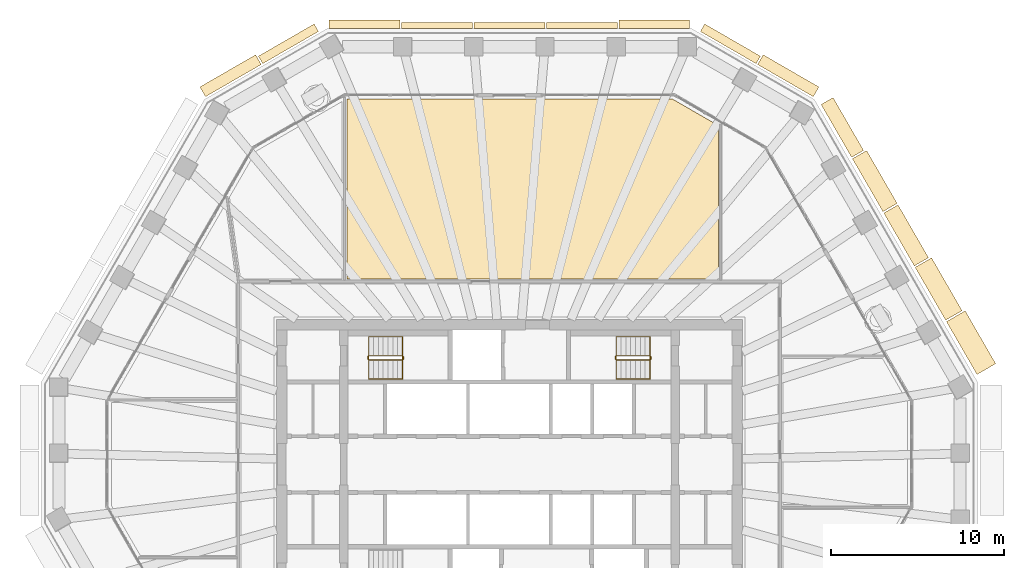
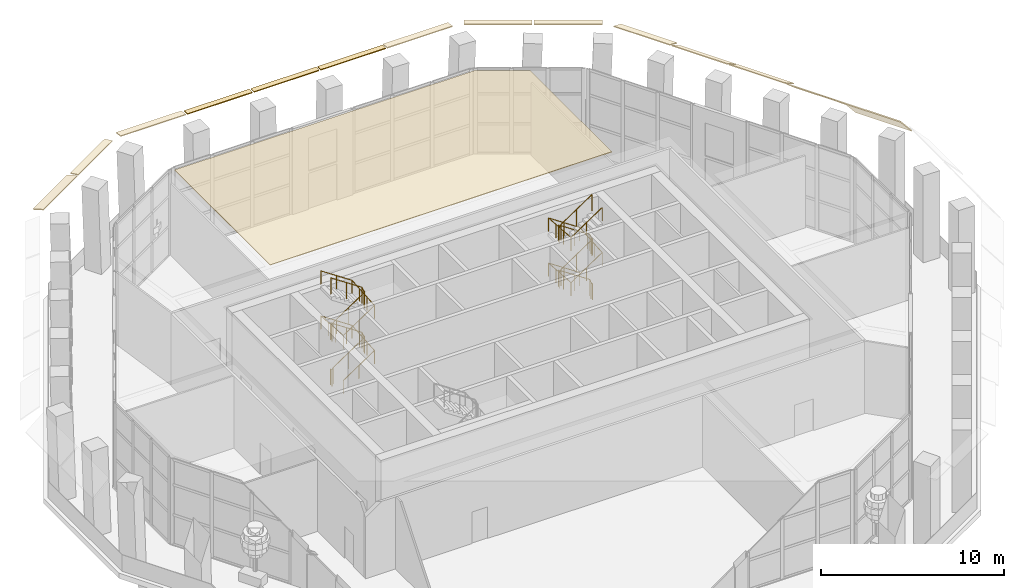
# One storey, part 17 of 19: 15 coverings, 4 railings.
"""IFC4 building model written with IfcOpenShell, lengths in metres."""

from ifc_helpers import new_model, si_unit, direction, frame, origin, origin_2d, place, context, subcontext, project, spatial, polyline, circle, outline, extrude, material, layer, layer_set, type_object, element, save


model = new_model("IFC4")

# Units and contexts
model_context = context("Model", 3, precision=1e-05, world=origin(), true_north=direction((0.0, 1.0)))
body_context = subcontext(model_context, "Body", "Model", "MODEL_VIEW")
ifc_project = project(units=[si_unit("LENGTHUNIT", "METRE"), si_unit("AREAUNIT", "SQUARE_METRE"), si_unit("VOLUMEUNIT", "CUBIC_METRE"), si_unit("PLANEANGLEUNIT", "RADIAN"), si_unit("MASSUNIT", "GRAM", prefix="KILO")], contexts=[model_context])

# Site, building, storey
site_placement = place(None, origin())
site = spatial("IfcSite", under=ifc_project, at=site_placement, CompositionType="ELEMENT")
building_placement = place(site_placement, origin())
building = spatial("IfcBuilding", under=site, at=building_placement, Name="Frailejon Research Tower", CompositionType="ELEMENT")
storey_placement = place(building_placement, frame((0.0, 0.0, 231.39990234375)))
storey = spatial("IfcBuildingStorey", under=building, at=storey_placement, Name="L50", CompositionType="ELEMENT", Elevation=231.39990234375)

# Coverings
ifc_material_1 = material(Name="Precast concrete C50/60", Category="concrete")
ifc_layer_1 = layer(ifc_material_1, 0.06005859375)
ifc_layer_set_1 = layer_set([ifc_layer_1], Name="Brim blade depth 1100")
covering_type_1 = type_object("IfcCoveringType", Name="Brim blade depth 1100", PredefinedType="CLADDING", material=ifc_layer_set_1)
covering_1_placement = place(storey_placement, frame((23.5078125, 11.417236328125, 5.85009765625), z_axis=(0.500002847027, -0.866023760046, 0.0), x_axis=(0.866023760046, 0.500002847027, 0.0)))
element("IfcCovering", 1, at=covering_1_placement, inside=storey, type_object=covering_type_1, Name="Brim blade L50", PredefinedType="CLADDING", context=body_context, shape_type="SweptSolid", body=[
    extrude(outline(polyline([(0.0, -0.078369140625), (1.10009765625, -1.001220703125), (1.10009765625, -0.923095703125), (0.0, 0.0), (0.0, -0.078369140625)])), origin(), (0.0, 0.0, 1.0), 3.53271484375),
])
ifc_material_2 = material(Name="Precast concrete C50/60", Category="concrete")
ifc_layer_2 = layer(ifc_material_2, 0.06005859375)
ifc_layer_set_2 = layer_set([ifc_layer_2], Name="Brim blade depth 1250")
covering_type_2 = type_object("IfcCoveringType", Name="Brim blade depth 1250", PredefinedType="CLADDING", material=ifc_layer_set_2)
covering_2_placement = place(storey_placement, frame((25.32421875, 8.271484375, 5.85009765625), z_axis=(0.499982200163, -0.866035680282, 0.0), x_axis=(0.866035680282, 0.499982200163, 0.0)))
element("IfcCovering", 2, at=covering_2_placement, inside=storey, type_object=covering_type_2, Name="Brim blade L50", PredefinedType="CLADDING", context=body_context, shape_type="SweptSolid", body=[
    extrude(outline(polyline([(0.0, -0.0888671875), (1.25, -1.452880859375), (1.25, -1.364013671875), (0.0, 0.0), (0.0, -0.0888671875)])), origin(), (0.0, 0.0, 1.0), 3.532470703125),
])
ifc_material_3 = material(Name="Precast concrete C50/60", Category="concrete")
ifc_layer_3 = layer(ifc_material_3, 0.06005859375)
ifc_layer_set_3 = layer_set([ifc_layer_3], Name="Brim blade depth 350")
covering_type_3 = type_object("IfcCoveringType", Name="Brim blade depth 350", PredefinedType="CLADDING", material=ifc_layer_set_3)
for number, where, z_axis, x_axis, name in (
    (3, (2.1494140625, 25.25, 5.85009765625), (1.0, 0.0, 0.0), (0.0, 1.0, 0.0), "Brim blade L50"),
    (4, (-2.04931640625, 25.25, 5.85009765625), (1.0, 0.0, 0.0), (0.0, 1.0, 0.0), "Brim blade L50"),
    (5, (-6.248046875, 25.25, 5.85009765625), (1.0, 0.0, 0.0), (0.0, 1.0, 0.0), "Brim blade L50"),
):
    element("IfcCovering", number, at=place(storey_placement, frame(where, z_axis=z_axis, x_axis=x_axis)), inside=storey, type_object=covering_type_3, Name=name, PredefinedType="CLADDING", context=body_context, shape_type="SweptSolid", body=[
        extrude(outline(polyline([(0.0, -0.06005859375), (0.35009765625, -0.06005859375), (0.35009765625, 0.0), (0.0, 0.0), (0.0, -0.06005859375)])), origin(), (0.0, 0.0, 1.0), 4.0986328125),
    ])
ifc_material_4 = material(Name="Precast concrete C50/60", Category="concrete")
ifc_layer_4 = layer(ifc_material_4, 0.06005859375)
ifc_layer_set_4 = layer_set([ifc_layer_4], Name="Brim blade depth 500")
covering_type_4 = type_object("IfcCoveringType", Name="Brim blade depth 500", PredefinedType="CLADDING", material=ifc_layer_set_4)
covering_3_placement = place(storey_placement, frame((11.06494140625, 25.084228515625, 5.85009765625), z_axis=(0.866025010706, -0.50000068083, 0.0), x_axis=(0.50000068083, 0.866025010706, 0.0)))
element("IfcCovering", 6, at=covering_3_placement, inside=storey, type_object=covering_type_4, Name="Brim blade L50", PredefinedType="CLADDING", context=body_context, shape_type="SweptSolid", body=[
    extrude(outline(polyline([(0.0, -0.060546875), (0.5, -0.130859375), (0.5, -0.0703125), (0.0, 0.0), (0.0, -0.060546875)])), origin(), (0.0, 0.0, 1.0), 3.726806640625),
])
for number, where, z_axis, x_axis, name in (
    (7, (6.347900390625, 25.25, 5.85009765625), (1.0, 0.0, 0.0), (0.0, 1.0, 0.0), "Brim blade L50"),
    (8, (-10.446533203125, 25.25, 5.85009765625), (1.0, 0.0, 0.0), (0.0, 1.0, 0.0), "Brim blade L50"),
):
    element("IfcCovering", number, at=place(storey_placement, frame(where, z_axis=z_axis, x_axis=x_axis)), inside=storey, type_object=covering_type_4, Name=name, PredefinedType="CLADDING", context=body_context, shape_type="SweptSolid", body=[
        extrude(outline(polyline([(0.0, -0.060546875), (0.5, -0.130859375), (0.5, -0.0703125), (0.0, 0.0), (0.0, -0.060546875)])), origin(), (0.0, 0.0, 1.0), 4.0986328125),
    ])
covering_4_placement = place(storey_placement, frame((-14.29248046875, 23.220947265625, 5.85009765625), z_axis=(0.866025010706, 0.50000068083, 0.0), x_axis=(-0.50000068083, 0.866025010706, 0.0)))
element("IfcCovering", 9, at=covering_4_placement, inside=storey, type_object=covering_type_4, Name="Brim blade L50", PredefinedType="CLADDING", context=body_context, shape_type="SweptSolid", body=[
    extrude(outline(polyline([(0.0, -0.060546875), (0.5, -0.130859375), (0.5, -0.0703125), (0.0, 0.0), (0.0, -0.060546875)])), origin(), (0.0, 0.0, 1.0), 3.726806640625),
])
ifc_material_5 = material(Name="Precast concrete C50/60", Category="concrete")
ifc_layer_5 = layer(ifc_material_5, 0.06005859375)
ifc_layer_set_5 = layer_set([ifc_layer_5], Name="Brim blade depth 650")
covering_type_5 = type_object("IfcCoveringType", Name="Brim blade depth 650", PredefinedType="CLADDING", material=ifc_layer_set_5)
for number, where, z_axis, x_axis, name in (
    (10, (14.37890625, 23.1708984375, 5.85009765625), (0.866029793251, -0.499992397145, 0.0), (0.499992397145, 0.866029793251, 0.0), "Brim blade L50"),
    (11, (-17.6064453125, 21.3076171875, 5.85009765625), (0.866029793251, 0.499992397145, 0.0), (-0.499992397145, 0.866029793251, 0.0), "Brim blade L50"),
):
    element("IfcCovering", number, at=place(storey_placement, frame(where, z_axis=z_axis, x_axis=x_axis)), inside=storey, type_object=covering_type_5, Name=name, PredefinedType="CLADDING", context=body_context, shape_type="SweptSolid", body=[
        extrude(outline(polyline([(0.0, -0.0625), (0.64990234375, -0.248779296875), (0.64990234375, -0.186279296875), (0.0, 0.0), (0.0, -0.0625)])), origin(), (0.0, 0.0, 1.0), 3.726806640625),
    ])
ifc_material_6 = material(Name="Precast concrete C50/60", Category="concrete")
ifc_layer_6 = layer(ifc_material_6, 0.06005859375)
ifc_layer_set_6 = layer_set([ifc_layer_6], Name="Brim blade depth 800")
covering_type_6 = type_object("IfcCoveringType", Name="Brim blade depth 800", PredefinedType="CLADDING", material=ifc_layer_set_6)
covering_5_placement = place(storey_placement, frame((18.05908203125, 20.85498046875, 5.85009765625), z_axis=(0.500002847027, -0.866023760046, 0.0), x_axis=(0.866023760046, 0.500002847027, 0.0)))
element("IfcCovering", 12, at=covering_5_placement, inside=storey, type_object=covering_type_6, Name="Brim blade L50", PredefinedType="CLADDING", context=body_context, shape_type="SweptSolid", body=[
    extrude(outline(polyline([(0.0, -0.065673828125), (0.800048828125, -0.421875), (0.800048828125, -0.356201171875), (0.0, 0.0), (0.0, -0.065673828125)])), origin(), (0.0, 0.0, 1.0), 3.53271484375),
])
ifc_material_7 = material(Name="Precast concrete C50/60", Category="concrete")
ifc_layer_7 = layer(ifc_material_7, 0.06005859375)
ifc_layer_set_7 = layer_set([ifc_layer_7], Name="Brim blade depth 950")
covering_type_7 = type_object("IfcCoveringType", Name="Brim blade depth 950", PredefinedType="CLADDING", material=ifc_layer_set_7)
for number, where, z_axis, x_axis, name in (
    (13, (21.691650390625, 14.563232421875, 5.85009765625), (0.500002847027, -0.866023760046, 0.0), (0.866023760046, 0.500002847027, 0.0), "Brim blade L50"),
    (14, (19.875244140625, 17.708984375, 5.85009765625), (0.500002847027, -0.866023760046, 0.0), (0.866023760046, 0.500002847027, 0.0), "Brim blade L50"),
):
    element("IfcCovering", number, at=place(storey_placement, frame(where, z_axis=z_axis, x_axis=x_axis)), inside=storey, type_object=covering_type_7, Name=name, PredefinedType="CLADDING", context=body_context, shape_type="SweptSolid", body=[
        extrude(outline(polyline([(0.0, -0.07080078125), (0.949951171875, -0.664306640625), (0.949951171875, -0.593505859375), (0.0, 0.0), (0.0, -0.07080078125)])), origin(), (0.0, 0.0, 1.0), 3.53271484375),
    ])

# Railings
ifc_material_8 = material(Name="Stainless steel", Category="steel")
railing_type_1 = type_object("IfcRailingType", Name="Stair guard 1100", PredefinedType="GUARDRAIL", material=ifc_material_8)
railing_1_placement = place(storey_placement, frame((-8.199951171875, 6.25, 0.0)))
element("IfcRailing", 15, at=railing_1_placement, inside=storey, type_object=railing_type_1, Name="L50 ST1 stair guard 1", PredefinedType="GUARDRAIL", context=body_context, shape_type="SweptSolid", body=[
    extrude(circle(Radius=0.02392578125, at=origin_2d()), frame((0.0, 0.0, 1.076171875), z_axis=(0.0, -1.0, 0.0), x_axis=(1.0, 0.0, 0.0)), (0.0, 0.0, 1.0), 0.14990234375),
    extrude(circle(Radius=0.02392578125, at=origin_2d()), frame((0.0, -0.14990234375, 1.076171875), z_axis=(0.249726431254, -0.249726431254, 0.935560483917), x_axis=(0.707106781187, 0.707106781187, 0.0)), (0.0, 0.0, 1.0), 0.200439453125),
    extrude(circle(Radius=0.02392578125, at=origin_2d()), frame((0.050048828125, -0.199951171875, 1.263671875), z_axis=(0.830902050051, 0.0, 0.556418712142), x_axis=(0.0, 1.0, 0.0)), (0.0, 0.0, 1.0), 2.35888671875),
    extrude(circle(Radius=0.02392578125, at=origin_2d()), frame((2.010009765625, -0.199951171875, 2.576171875), z_axis=(0.707106781187, 0.707106781187, 0.0), x_axis=(-0.707106781187, 0.707106781187, 0.0)), (0.0, 0.0, 1.0), 0.07080078125),
    extrude(circle(Radius=0.02392578125, at=origin_2d()), frame((2.06005859375, -0.14990234375, 2.576171875), z_axis=(0.0, 1.0, 0.0), x_axis=(-1.0, 0.0, 0.0)), (0.0, 0.0, 1.0), 0.14990234375),
    extrude(circle(Radius=0.02392578125, at=origin_2d()), frame((2.06005859375, 0.0, 2.576171875), z_axis=(-0.249726431254, 0.249726431254, 0.935560483917), x_axis=(-0.707106781187, -0.707106781187, 0.0)), (0.0, 0.0, 1.0), 0.200439453125),
    extrude(circle(Radius=0.02392578125, at=origin_2d()), frame((2.010009765625, 0.050048828125, 2.763671875), z_axis=(-0.830902050051, 0.0, 0.556418712142), x_axis=(0.0, -1.0, 0.0)), (0.0, 0.0, 1.0), 2.35888671875),
    extrude(circle(Radius=0.02392578125, at=origin_2d()), frame((0.050048828125, 0.050048828125, 4.076171875), z_axis=(-0.707106781187, -0.707106781187, 0.0), x_axis=(0.707106781187, -0.707106781187, 0.0)), (0.0, 0.0, 1.0), 0.07080078125),
    extrude(circle(Radius=0.02392578125, at=origin_2d()), frame((0.0, 0.0, 4.076171875), z_axis=(0.0, -1.0, 0.0), x_axis=(1.0, 0.0, 0.0)), (0.0, 0.0, 1.0), 0.14990234375),
    extrude(circle(Radius=0.02392578125, at=origin_2d()), frame((0.0, -0.14990234375, 4.076171875), z_axis=(0.249726431254, -0.249726431254, 0.935560483917), x_axis=(0.707106781187, 0.707106781187, 0.0)), (0.0, 0.0, 1.0), 0.200439453125),
    extrude(circle(Radius=0.02392578125, at=origin_2d()), frame((0.050048828125, -0.199951171875, 4.263671875), z_axis=(0.830902050051, 0.0, 0.556418712142), x_axis=(0.0, 1.0, 0.0)), (0.0, 0.0, 1.0), 2.35888671875),
    extrude(circle(Radius=0.02392578125, at=origin_2d()), frame((2.010009765625, -0.199951171875, 5.576171875), z_axis=(0.707106781187, 0.707106781187, 0.0), x_axis=(-0.707106781187, 0.707106781187, 0.0)), (0.0, 0.0, 1.0), 0.07080078125),
    extrude(circle(Radius=0.02392578125, at=origin_2d()), frame((2.06005859375, -0.14990234375, 5.576171875), z_axis=(0.0, 1.0, 0.0), x_axis=(-1.0, 0.0, 0.0)), (0.0, 0.0, 1.0), 0.14990234375),
    extrude(circle(Radius=0.02392578125, at=origin_2d()), frame((2.06005859375, 0.0, 5.576171875), z_axis=(-0.249726431254, 0.249726431254, 0.935560483917), x_axis=(-0.707106781187, -0.707106781187, 0.0)), (0.0, 0.0, 1.0), 0.200439453125),
    extrude(circle(Radius=0.02392578125, at=origin_2d()), frame((2.010009765625, 0.050048828125, 5.763671875), z_axis=(-0.830902050051, 0.0, 0.556418712142), x_axis=(0.0, -1.0, 0.0)), (0.0, 0.0, 1.0), 2.35888671875),
    extrude(circle(Radius=0.02099609375, at=origin_2d()), origin(), (0.0, 0.0, 1.0), 1.052001953125),
    extrude(circle(Radius=0.02099609375, at=origin_2d()), frame((0.0, -0.14990234375, 0.0)), (0.0, 0.0, 1.0), 1.052001953125),
    extrude(circle(Radius=0.02099609375, at=origin_2d()), frame((0.050048828125, -0.199951171875, 0.1875)), (0.0, 0.0, 1.0), 1.052001953125),
    extrude(circle(Radius=0.02099609375, at=origin_2d()), frame((1.030029296875, -0.199951171875, 0.84375)), (0.0, 0.0, 1.0), 1.052001953125),
    extrude(circle(Radius=0.02099609375, at=origin_2d()), frame((2.010009765625, -0.199951171875, 1.5)), (0.0, 0.0, 1.0), 1.052001953125),
    extrude(circle(Radius=0.02099609375, at=origin_2d()), frame((2.06005859375, -0.14990234375, 1.5)), (0.0, 0.0, 1.0), 1.052001953125),
    extrude(circle(Radius=0.02099609375, at=origin_2d()), frame((2.06005859375, 0.0, 1.5)), (0.0, 0.0, 1.0), 1.052001953125),
    extrude(circle(Radius=0.02099609375, at=origin_2d()), frame((2.010009765625, 0.050048828125, 1.6875)), (0.0, 0.0, 1.0), 1.052001953125),
    extrude(circle(Radius=0.02099609375, at=origin_2d()), frame((1.030029296875, 0.050048828125, 2.34375)), (0.0, 0.0, 1.0), 1.052001953125),
    extrude(circle(Radius=0.02099609375, at=origin_2d()), frame((0.050048828125, 0.050048828125, 3.0)), (0.0, 0.0, 1.0), 1.052001953125),
    extrude(circle(Radius=0.02099609375, at=origin_2d()), frame((0.0, 0.0, 3.0)), (0.0, 0.0, 1.0), 1.052001953125),
    extrude(circle(Radius=0.02099609375, at=origin_2d()), frame((0.0, -0.14990234375, 3.0)), (0.0, 0.0, 1.0), 1.052001953125),
    extrude(circle(Radius=0.02099609375, at=origin_2d()), frame((0.050048828125, -0.199951171875, 3.1875)), (0.0, 0.0, 1.0), 1.052001953125),
    extrude(circle(Radius=0.02099609375, at=origin_2d()), frame((1.030029296875, -0.199951171875, 3.84375)), (0.0, 0.0, 1.0), 1.052001953125),
    extrude(circle(Radius=0.02099609375, at=origin_2d()), frame((2.010009765625, -0.199951171875, 4.5)), (0.0, 0.0, 1.0), 1.052001953125),
    extrude(circle(Radius=0.02099609375, at=origin_2d()), frame((2.06005859375, -0.14990234375, 4.5)), (0.0, 0.0, 1.0), 1.052001953125),
    extrude(circle(Radius=0.02099609375, at=origin_2d()), frame((2.06005859375, 0.0, 4.5)), (0.0, 0.0, 1.0), 1.052001953125),
    extrude(circle(Radius=0.02099609375, at=origin_2d()), frame((2.010009765625, 0.050048828125, 4.6875)), (0.0, 0.0, 1.0), 1.052001953125),
    extrude(circle(Radius=0.02099609375, at=origin_2d()), frame((1.030029296875, 0.050048828125, 5.34375)), (0.0, 0.0, 1.0), 1.052001953125),
    extrude(circle(Radius=0.02099609375, at=origin_2d()), frame((0.050048828125, 0.050048828125, 6.0)), (0.0, 0.0, 1.0), 1.052001953125),
])
railing_2_placement = place(storey_placement, frame((8.199951171875, 6.10009765625, 0.0)))
element("IfcRailing", 16, at=railing_2_placement, inside=storey, type_object=railing_type_1, Name="L50 ST3 stair guard 1", PredefinedType="GUARDRAIL", context=body_context, shape_type="SweptSolid", body=[
    extrude(circle(Radius=0.02392578125, at=origin_2d()), frame((0.0, 0.0, 1.076171875), z_axis=(0.0, 1.0, 0.0), x_axis=(-1.0, 0.0, 0.0)), (0.0, 0.0, 1.0), 0.14990234375),
    extrude(circle(Radius=0.02392578125, at=origin_2d()), frame((0.0, 0.14990234375, 1.076171875), z_axis=(-0.249726431254, 0.249726431254, 0.935560483917), x_axis=(-0.707106781187, -0.707106781187, 0.0)), (0.0, 0.0, 1.0), 0.200439453125),
    extrude(circle(Radius=0.02392578125, at=origin_2d()), frame((-0.050048828125, 0.199951171875, 1.263671875), z_axis=(-0.830902050051, 0.0, 0.556418712142), x_axis=(0.0, -1.0, 0.0)), (0.0, 0.0, 1.0), 2.35888671875),
    extrude(circle(Radius=0.02392578125, at=origin_2d()), frame((-2.010009765625, 0.199951171875, 2.576171875), z_axis=(-0.707106781187, -0.707106781187, 0.0), x_axis=(0.707106781187, -0.707106781187, 0.0)), (0.0, 0.0, 1.0), 0.07080078125),
    extrude(circle(Radius=0.02392578125, at=origin_2d()), frame((-2.06005859375, 0.14990234375, 2.576171875), z_axis=(0.0, -1.0, 0.0), x_axis=(1.0, 0.0, 0.0)), (0.0, 0.0, 1.0), 0.14990234375),
    extrude(circle(Radius=0.02392578125, at=origin_2d()), frame((-2.06005859375, 0.0, 2.576171875), z_axis=(0.249726431254, -0.249726431254, 0.935560483917), x_axis=(0.707106781187, 0.707106781187, 0.0)), (0.0, 0.0, 1.0), 0.200439453125),
    extrude(circle(Radius=0.02392578125, at=origin_2d()), frame((-2.010009765625, -0.050048828125, 2.763671875), z_axis=(0.830902050051, 0.0, 0.556418712142), x_axis=(0.0, 1.0, 0.0)), (0.0, 0.0, 1.0), 2.35888671875),
    extrude(circle(Radius=0.02392578125, at=origin_2d()), frame((-0.050048828125, -0.050048828125, 4.076171875), z_axis=(0.707106781187, 0.707106781187, 0.0), x_axis=(-0.707106781187, 0.707106781187, 0.0)), (0.0, 0.0, 1.0), 0.07080078125),
    extrude(circle(Radius=0.02392578125, at=origin_2d()), frame((0.0, 0.0, 4.076171875), z_axis=(0.0, 1.0, 0.0), x_axis=(-1.0, 0.0, 0.0)), (0.0, 0.0, 1.0), 0.14990234375),
    extrude(circle(Radius=0.02392578125, at=origin_2d()), frame((0.0, 0.14990234375, 4.076171875), z_axis=(-0.249726431254, 0.249726431254, 0.935560483917), x_axis=(-0.707106781187, -0.707106781187, 0.0)), (0.0, 0.0, 1.0), 0.200439453125),
    extrude(circle(Radius=0.02392578125, at=origin_2d()), frame((-0.050048828125, 0.199951171875, 4.263671875), z_axis=(-0.830902050051, 0.0, 0.556418712142), x_axis=(0.0, -1.0, 0.0)), (0.0, 0.0, 1.0), 2.35888671875),
    extrude(circle(Radius=0.02392578125, at=origin_2d()), frame((-2.010009765625, 0.199951171875, 5.576171875), z_axis=(-0.707106781187, -0.707106781187, 0.0), x_axis=(0.707106781187, -0.707106781187, 0.0)), (0.0, 0.0, 1.0), 0.07080078125),
    extrude(circle(Radius=0.02392578125, at=origin_2d()), frame((-2.06005859375, 0.14990234375, 5.576171875), z_axis=(0.0, -1.0, 0.0), x_axis=(1.0, 0.0, 0.0)), (0.0, 0.0, 1.0), 0.14990234375),
    extrude(circle(Radius=0.02392578125, at=origin_2d()), frame((-2.06005859375, 0.0, 5.576171875), z_axis=(0.249726431254, -0.249726431254, 0.935560483917), x_axis=(0.707106781187, 0.707106781187, 0.0)), (0.0, 0.0, 1.0), 0.200439453125),
    extrude(circle(Radius=0.02392578125, at=origin_2d()), frame((-2.010009765625, -0.050048828125, 5.763671875), z_axis=(0.830902050051, 0.0, 0.556418712142), x_axis=(0.0, 1.0, 0.0)), (0.0, 0.0, 1.0), 2.35888671875),
    extrude(circle(Radius=0.02099609375, at=origin_2d()), origin(), (0.0, 0.0, 1.0), 1.052001953125),
    extrude(circle(Radius=0.02099609375, at=origin_2d()), frame((0.0, 0.14990234375, 0.0)), (0.0, 0.0, 1.0), 1.052001953125),
    extrude(circle(Radius=0.02099609375, at=origin_2d()), frame((-0.050048828125, 0.199951171875, 0.1875)), (0.0, 0.0, 1.0), 1.052001953125),
    extrude(circle(Radius=0.02099609375, at=origin_2d()), frame((-1.030029296875, 0.199951171875, 0.84375)), (0.0, 0.0, 1.0), 1.052001953125),
    extrude(circle(Radius=0.02099609375, at=origin_2d()), frame((-2.010009765625, 0.199951171875, 1.5)), (0.0, 0.0, 1.0), 1.052001953125),
    extrude(circle(Radius=0.02099609375, at=origin_2d()), frame((-2.06005859375, 0.14990234375, 1.5)), (0.0, 0.0, 1.0), 1.052001953125),
    extrude(circle(Radius=0.02099609375, at=origin_2d()), frame((-2.06005859375, 0.0, 1.5)), (0.0, 0.0, 1.0), 1.052001953125),
    extrude(circle(Radius=0.02099609375, at=origin_2d()), frame((-2.010009765625, -0.050048828125, 1.6875)), (0.0, 0.0, 1.0), 1.052001953125),
    extrude(circle(Radius=0.02099609375, at=origin_2d()), frame((-1.030029296875, -0.050048828125, 2.34375)), (0.0, 0.0, 1.0), 1.052001953125),
    extrude(circle(Radius=0.02099609375, at=origin_2d()), frame((-0.050048828125, -0.050048828125, 3.0)), (0.0, 0.0, 1.0), 1.052001953125),
    extrude(circle(Radius=0.02099609375, at=origin_2d()), frame((0.0, 0.0, 3.0)), (0.0, 0.0, 1.0), 1.052001953125),
    extrude(circle(Radius=0.02099609375, at=origin_2d()), frame((0.0, 0.14990234375, 3.0)), (0.0, 0.0, 1.0), 1.052001953125),
    extrude(circle(Radius=0.02099609375, at=origin_2d()), frame((-0.050048828125, 0.199951171875, 3.1875)), (0.0, 0.0, 1.0), 1.052001953125),
    extrude(circle(Radius=0.02099609375, at=origin_2d()), frame((-1.030029296875, 0.199951171875, 3.84375)), (0.0, 0.0, 1.0), 1.052001953125),
    extrude(circle(Radius=0.02099609375, at=origin_2d()), frame((-2.010009765625, 0.199951171875, 4.5)), (0.0, 0.0, 1.0), 1.052001953125),
    extrude(circle(Radius=0.02099609375, at=origin_2d()), frame((-2.06005859375, 0.14990234375, 4.5)), (0.0, 0.0, 1.0), 1.052001953125),
    extrude(circle(Radius=0.02099609375, at=origin_2d()), frame((-2.06005859375, 0.0, 4.5)), (0.0, 0.0, 1.0), 1.052001953125),
    extrude(circle(Radius=0.02099609375, at=origin_2d()), frame((-2.010009765625, -0.050048828125, 4.6875)), (0.0, 0.0, 1.0), 1.052001953125),
    extrude(circle(Radius=0.02099609375, at=origin_2d()), frame((-1.030029296875, -0.050048828125, 5.34375)), (0.0, 0.0, 1.0), 1.052001953125),
    extrude(circle(Radius=0.02099609375, at=origin_2d()), frame((-0.050048828125, -0.050048828125, 6.0)), (0.0, 0.0, 1.0), 1.052001953125),
])
ifc_material_9 = material(Name="Stainless steel", Category="steel")
railing_type_2 = type_object("IfcRailingType", Name="Stair handrail 900", PredefinedType="HANDRAIL", material=ifc_material_9)
railing_3_placement = place(storey_placement, frame((-8.14990234375, 4.949951171875, 0.1875)))
element("IfcRailing", 17, at=railing_3_placement, inside=storey, type_object=railing_type_2, Name="L50 ST1 stair handrail 1", PredefinedType="HANDRAIL", context=body_context, shape_type="SweptSolid", body=[
    extrude(circle(Radius=0.02392578125, at=origin_2d()), frame((0.0, 0.0, 0.8759765625), z_axis=(0.830902050051, 0.0, 0.556418712142), x_axis=(0.0, 1.0, 0.0)), (0.0, 0.0, 1.0), 2.35888671875),
    extrude(circle(Radius=0.02392578125, at=origin_2d()), frame((1.9599609375, 0.0, 2.1884765625), z_axis=(0.0, 0.997084218397, 0.07630898652), x_axis=(-1.0, 0.0, 0.0)), (0.0, 0.0, 1.0), 2.45703125),
    extrude(circle(Radius=0.02392578125, at=origin_2d()), frame((1.9599609375, 2.449951171875, 2.3759765625), z_axis=(-0.830902050051, 0.0, 0.556418712142), x_axis=(0.0, -1.0, 0.0)), (0.0, 0.0, 1.0), 2.35888671875),
    extrude(circle(Radius=0.02392578125, at=origin_2d()), frame((0.0, 2.449951171875, 3.6884765625), z_axis=(0.0, -0.997084218397, 0.07630898652), x_axis=(1.0, 0.0, 0.0)), (0.0, 0.0, 1.0), 2.45703125),
    extrude(circle(Radius=0.02392578125, at=origin_2d()), frame((0.0, 0.0, 3.8759765625), z_axis=(0.830902050051, 0.0, 0.556418712142), x_axis=(0.0, 1.0, 0.0)), (0.0, 0.0, 1.0), 2.35888671875),
    extrude(circle(Radius=0.02392578125, at=origin_2d()), frame((1.9599609375, 0.0, 5.1884765625), z_axis=(0.0, 0.997084218397, 0.07630898652), x_axis=(-1.0, 0.0, 0.0)), (0.0, 0.0, 1.0), 2.45703125),
    extrude(circle(Radius=0.02392578125, at=origin_2d()), frame((1.9599609375, 2.449951171875, 5.3759765625), z_axis=(-0.830902050051, 0.0, 0.556418712142), x_axis=(0.0, -1.0, 0.0)), (0.0, 0.0, 1.0), 2.35888671875),
    extrude(circle(Radius=0.02099609375, at=origin_2d()), origin(), (0.0, 0.0, 1.0), 0.851806640625),
    extrude(circle(Radius=0.02099609375, at=origin_2d()), frame((0.97998046875, 0.0, 0.65625)), (0.0, 0.0, 1.0), 0.851806640625),
    extrude(circle(Radius=0.02099609375, at=origin_2d()), frame((1.9599609375, 0.0, 1.3125)), (0.0, 0.0, 1.0), 0.851806640625),
    extrude(circle(Radius=0.02099609375, at=origin_2d()), frame((1.9599609375, 0.816650390625, 1.375)), (0.0, 0.0, 1.0), 0.851806640625),
    extrude(circle(Radius=0.02099609375, at=origin_2d()), frame((1.9599609375, 1.63330078125, 1.4375)), (0.0, 0.0, 1.0), 0.851806640625),
    extrude(circle(Radius=0.02099609375, at=origin_2d()), frame((1.9599609375, 2.449951171875, 1.5)), (0.0, 0.0, 1.0), 0.851806640625),
    extrude(circle(Radius=0.02099609375, at=origin_2d()), frame((0.97998046875, 2.449951171875, 2.15625)), (0.0, 0.0, 1.0), 0.851806640625),
    extrude(circle(Radius=0.02099609375, at=origin_2d()), frame((0.0, 2.449951171875, 2.8125)), (0.0, 0.0, 1.0), 0.851806640625),
    extrude(circle(Radius=0.02099609375, at=origin_2d()), frame((0.0, 1.63330078125, 2.875)), (0.0, 0.0, 1.0), 0.851806640625),
    extrude(circle(Radius=0.02099609375, at=origin_2d()), frame((0.0, 0.816650390625, 2.9375)), (0.0, 0.0, 1.0), 0.851806640625),
    extrude(circle(Radius=0.02099609375, at=origin_2d()), frame((0.0, 0.0, 3.0)), (0.0, 0.0, 1.0), 0.851806640625),
    extrude(circle(Radius=0.02099609375, at=origin_2d()), frame((0.97998046875, 0.0, 3.65625)), (0.0, 0.0, 1.0), 0.851806640625),
    extrude(circle(Radius=0.02099609375, at=origin_2d()), frame((1.9599609375, 0.0, 4.3125)), (0.0, 0.0, 1.0), 0.851806640625),
    extrude(circle(Radius=0.02099609375, at=origin_2d()), frame((1.9599609375, 0.816650390625, 4.375)), (0.0, 0.0, 1.0), 0.851806640625),
    extrude(circle(Radius=0.02099609375, at=origin_2d()), frame((1.9599609375, 1.63330078125, 4.4375)), (0.0, 0.0, 1.0), 0.851806640625),
    extrude(circle(Radius=0.02099609375, at=origin_2d()), frame((1.9599609375, 2.449951171875, 4.5)), (0.0, 0.0, 1.0), 0.851806640625),
    extrude(circle(Radius=0.02099609375, at=origin_2d()), frame((0.97998046875, 2.449951171875, 5.15625)), (0.0, 0.0, 1.0), 0.851806640625),
    extrude(circle(Radius=0.02099609375, at=origin_2d()), frame((0.0, 2.449951171875, 5.8125)), (0.0, 0.0, 1.0), 0.851806640625),
])
railing_4_placement = place(storey_placement, frame((8.14990234375, 7.39990234375, 0.1875)))
element("IfcRailing", 18, at=railing_4_placement, inside=storey, type_object=railing_type_2, Name="L50 ST3 stair handrail 1", PredefinedType="HANDRAIL", context=body_context, shape_type="SweptSolid", body=[
    extrude(circle(Radius=0.02392578125, at=origin_2d()), frame((0.0, 0.0, 0.8759765625), z_axis=(-0.830902050051, 0.0, 0.556418712142), x_axis=(0.0, -1.0, 0.0)), (0.0, 0.0, 1.0), 2.35888671875),
    extrude(circle(Radius=0.02392578125, at=origin_2d()), frame((-1.9599609375, 0.0, 2.1884765625), z_axis=(0.0, -0.997084218397, 0.07630898652), x_axis=(1.0, 0.0, 0.0)), (0.0, 0.0, 1.0), 2.45703125),
    extrude(circle(Radius=0.02392578125, at=origin_2d()), frame((-1.9599609375, -2.449951171875, 2.3759765625), z_axis=(0.830902050051, 0.0, 0.556418712142), x_axis=(0.0, 1.0, 0.0)), (0.0, 0.0, 1.0), 2.35888671875),
    extrude(circle(Radius=0.02392578125, at=origin_2d()), frame((0.0, -2.449951171875, 3.6884765625), z_axis=(0.0, 0.997084218397, 0.07630898652), x_axis=(-1.0, 0.0, 0.0)), (0.0, 0.0, 1.0), 2.45703125),
    extrude(circle(Radius=0.02392578125, at=origin_2d()), frame((0.0, 0.0, 3.8759765625), z_axis=(-0.830902050051, 0.0, 0.556418712142), x_axis=(0.0, -1.0, 0.0)), (0.0, 0.0, 1.0), 2.35888671875),
    extrude(circle(Radius=0.02392578125, at=origin_2d()), frame((-1.9599609375, 0.0, 5.1884765625), z_axis=(0.0, -0.997084218397, 0.07630898652), x_axis=(1.0, 0.0, 0.0)), (0.0, 0.0, 1.0), 2.45703125),
    extrude(circle(Radius=0.02392578125, at=origin_2d()), frame((-1.9599609375, -2.449951171875, 5.3759765625), z_axis=(0.830902050051, 0.0, 0.556418712142), x_axis=(0.0, 1.0, 0.0)), (0.0, 0.0, 1.0), 2.35888671875),
    extrude(circle(Radius=0.02099609375, at=origin_2d()), origin(), (0.0, 0.0, 1.0), 0.851806640625),
    extrude(circle(Radius=0.02099609375, at=origin_2d()), frame((-0.97998046875, 0.0, 0.65625)), (0.0, 0.0, 1.0), 0.851806640625),
    extrude(circle(Radius=0.02099609375, at=origin_2d()), frame((-1.9599609375, 0.0, 1.3125)), (0.0, 0.0, 1.0), 0.851806640625),
    extrude(circle(Radius=0.02099609375, at=origin_2d()), frame((-1.9599609375, -0.816650390625, 1.375)), (0.0, 0.0, 1.0), 0.851806640625),
    extrude(circle(Radius=0.02099609375, at=origin_2d()), frame((-1.9599609375, -1.63330078125, 1.4375)), (0.0, 0.0, 1.0), 0.851806640625),
    extrude(circle(Radius=0.02099609375, at=origin_2d()), frame((-1.9599609375, -2.449951171875, 1.5)), (0.0, 0.0, 1.0), 0.851806640625),
    extrude(circle(Radius=0.02099609375, at=origin_2d()), frame((-0.97998046875, -2.449951171875, 2.15625)), (0.0, 0.0, 1.0), 0.851806640625),
    extrude(circle(Radius=0.02099609375, at=origin_2d()), frame((0.0, -2.449951171875, 2.8125)), (0.0, 0.0, 1.0), 0.851806640625),
    extrude(circle(Radius=0.02099609375, at=origin_2d()), frame((0.0, -1.63330078125, 2.875)), (0.0, 0.0, 1.0), 0.851806640625),
    extrude(circle(Radius=0.02099609375, at=origin_2d()), frame((0.0, -0.816650390625, 2.9375)), (0.0, 0.0, 1.0), 0.851806640625),
    extrude(circle(Radius=0.02099609375, at=origin_2d()), frame((0.0, 0.0, 3.0)), (0.0, 0.0, 1.0), 0.851806640625),
    extrude(circle(Radius=0.02099609375, at=origin_2d()), frame((-0.97998046875, 0.0, 3.65625)), (0.0, 0.0, 1.0), 0.851806640625),
    extrude(circle(Radius=0.02099609375, at=origin_2d()), frame((-1.9599609375, 0.0, 4.3125)), (0.0, 0.0, 1.0), 0.851806640625),
    extrude(circle(Radius=0.02099609375, at=origin_2d()), frame((-1.9599609375, -0.816650390625, 4.375)), (0.0, 0.0, 1.0), 0.851806640625),
    extrude(circle(Radius=0.02099609375, at=origin_2d()), frame((-1.9599609375, -1.63330078125, 4.4375)), (0.0, 0.0, 1.0), 0.851806640625),
    extrude(circle(Radius=0.02099609375, at=origin_2d()), frame((-1.9599609375, -2.449951171875, 4.5)), (0.0, 0.0, 1.0), 0.851806640625),
    extrude(circle(Radius=0.02099609375, at=origin_2d()), frame((-0.97998046875, -2.449951171875, 5.15625)), (0.0, 0.0, 1.0), 0.851806640625),
    extrude(circle(Radius=0.02099609375, at=origin_2d()), frame((0.0, -2.449951171875, 5.8125)), (0.0, 0.0, 1.0), 0.851806640625),
])

# Covering
ifc_material_10 = material(Name="Mineral fibre ceiling board")
ifc_layer_8 = layer(ifc_material_10, 0.0400390625)
ifc_layer_set_8 = layer_set([ifc_layer_8], Name="Suspended ceiling 40")
covering_type_8 = type_object("IfcCoveringType", Name="Suspended ceiling 40", PredefinedType="CEILING", material=ifc_layer_set_8)
covering_6_placement = place(storey_placement, frame((0.0, 0.0, 5.66015625)))
element("IfcCovering", 19, at=covering_6_placement, inside=storey, type_object=covering_type_8, Name="Ceiling Sky lobby lounge L50-004", PredefinedType="CEILING", context=body_context, shape_type="SweptSolid", body=[
    extrude(outline(polyline([(-9.41552734375, 10.739990234375), (12.10302734375, 10.739990234375), (12.10302734375, 19.636474609375), (9.46435546875, 21.159912109375), (-9.41552734375, 21.159912109375), (-9.41552734375, 10.739990234375)])), origin(), (0.0, 0.0, 1.0), 0.0400390625),
])

save(model, "model.ifc")
